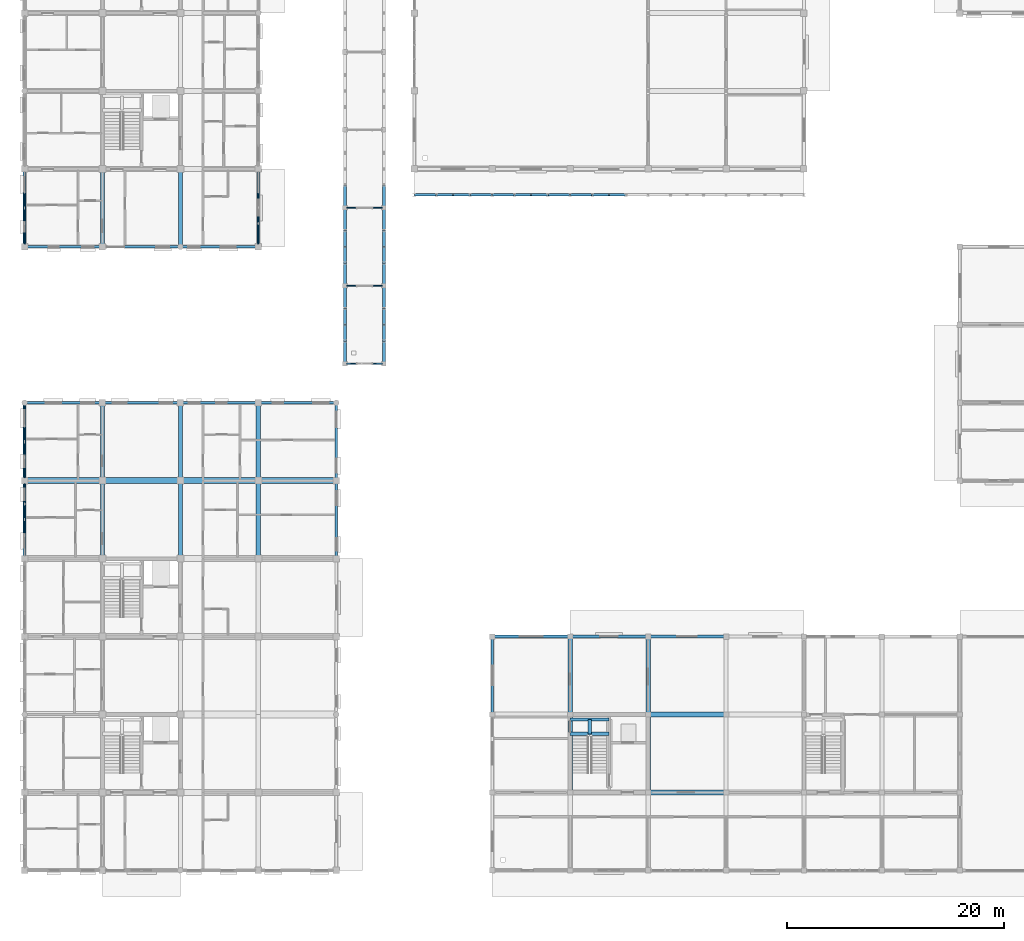
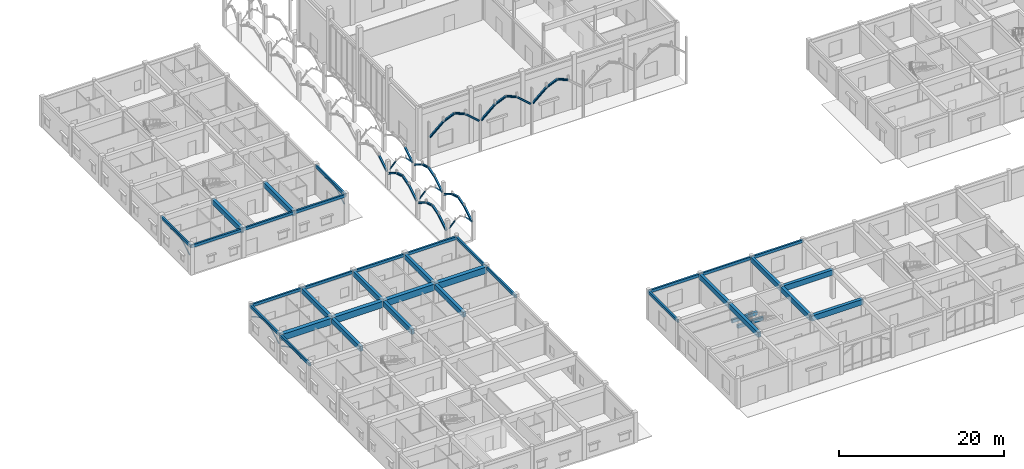
# One storey, part 16 of 138: 48 members, 38 beams.
"""IFC4 building model written with IfcOpenShell, lengths in metres."""

from ifc_helpers import new_model, si_unit, direction, frame, origin, origin_2d, place, context, subcontext, project, spatial, rectangle, hollow_rectangle, i_section, extrude, material, material_profile, profile_set, type_object, element, save


model = new_model("IFC4")

# Units and contexts
model_context = context("Model", 3, precision=1e-05, world=origin(), true_north=direction((0.0, 1.0)))
body_context = subcontext(model_context, "Body", "Model", "MODEL_VIEW")
ifc_project = project(units=[si_unit("LENGTHUNIT", "METRE"), si_unit("AREAUNIT", "SQUARE_METRE"), si_unit("VOLUMEUNIT", "CUBIC_METRE"), si_unit("PLANEANGLEUNIT", "RADIAN"), si_unit("MASSUNIT", "GRAM", prefix="KILO"), si_unit("THERMODYNAMICTEMPERATUREUNIT", "KELVIN"), si_unit("POWERUNIT", "WATT")], contexts=[model_context])

# Site, building, storey
site_placement = place(None, origin())
site = spatial("IfcSite", under=ifc_project, at=site_placement, CompositionType="ELEMENT")
building_placement = place(site_placement, origin())
building = spatial("IfcBuilding", under=site, at=building_placement, Name="Tavuni Mirador Residences", CompositionType="ELEMENT")
storey_placement = place(building_placement, origin())
storey = spatial("IfcBuildingStorey", under=building, at=storey_placement, Name="L00", CompositionType="ELEMENT", Elevation=0.0)

# Beams
ifc_material_1 = material(Name="Precast concrete C40/50", Category="concrete")
ifc_material_profile_1 = material_profile(ifc_material_1, rectangle(XDim=0.300048828125, YDim=0.5, at=origin_2d()), Name="PC 300x500", Category="concrete")
ifc_profile_set_1 = profile_set([ifc_material_profile_1], Name="Precast concrete C40/50")
beam_type_1 = type_object("IfcBeamType", Name="BT-B500", PredefinedType="BEAM", material=ifc_profile_set_1)
for number, where, z_axis, x_axis, name in (
    (1, (54.0, 19.820068359375, 1.820068359375), (1.0, 0.0, 0.0), (0.0, 1.0, 0.0), "HLB1-CS1-L00"),
    (2, (54.0, 21.14990234375, 1.820068359375), (1.0, 0.0, 0.0), (0.0, 1.0, 0.0), "HLB2-CS1-L00"),
):
    element("IfcBeam", number, at=place(storey_placement, frame(where, z_axis=z_axis, x_axis=x_axis)), inside=storey, type_object=beam_type_1, Name=name, PredefinedType="BEAM", context=body_context, shape_type="SweptSolid", body=[
        extrude(rectangle(XDim=0.300048828125, YDim=0.5, at=origin_2d()), origin(), (0.0, 0.0, 1.0), 3.60009765625),
    ])
beam_1_placement = place(storey_placement, frame((55.800048828125, 19.820068359375, 1.820068359375), z_axis=(0.0, 1.0, 0.0), x_axis=(-1.0, 0.0, 0.0)))
element("IfcBeam", 3, at=beam_1_placement, inside=storey, type_object=beam_type_1, Name="HLB3-CS1-L00", PredefinedType="BEAM", context=body_context, shape_type="SweptSolid", body=[
    extrude(rectangle(XDim=0.300048828125, YDim=0.5, at=origin_2d()), origin(), (0.0, 0.0, 1.0), 1.329833984375),
])
ifc_material_profile_2 = material_profile(ifc_material_1, rectangle(XDim=0.39990234375, YDim=0.75, at=origin_2d()), Name="RC 400x750", Category="concrete")
ifc_profile_set_2 = profile_set([ifc_material_profile_2], Name="Precast concrete C40/50")
beam_type_2 = type_object("IfcBeamType", Name="BT-G750", PredefinedType="USERDEFINED", material=ifc_profile_set_2)
for number, where, z_axis, x_axis, name in (
    (4, (10.800048828125, 36.0, 3.844970703125), (0.0, 1.0, 0.0), (-1.0, 0.0, 0.0), "BMY-BLK-A-L00-01-04"),
    (5, (10.800048828125, 43.199951171875, 3.844970703125), (0.0, 1.0, 0.0), (-1.0, 0.0, 0.0), "BMY-BLK-A-L00-01-05"),
    (6, (18.0, 36.0, 3.844970703125), (0.0, 1.0, 0.0), (-1.0, 0.0, 0.0), "BMY-BLK-A-L00-02-04"),
    (7, (18.0, 43.199951171875, 3.844970703125), (0.0, 1.0, 0.0), (-1.0, 0.0, 0.0), "BMY-BLK-A-L00-02-05"),
    (8, (25.199951171875, 36.0, 3.844970703125), (0.0, 1.0, 0.0), (-1.0, 0.0, 0.0), "BMY-BLK-A-L00-03-04"),
    (9, (25.199951171875, 43.199951171875, 3.844970703125), (0.0, 1.0, 0.0), (-1.0, 0.0, 0.0), "BMY-BLK-A-L00-03-05"),
    (10, (10.800048828125, 64.800048828125, 3.885009765625), (0.0, 1.0, 0.0), (-1.0, 0.0, 0.0), "BMY-BLK-B-L00-01-00"),
    (11, (18.0, 64.800048828125, 3.885009765625), (0.0, 1.0, 0.0), (-1.0, 0.0, 0.0), "BMY-BLK-B-L00-02-00"),
):
    element("IfcBeam", number, at=place(storey_placement, frame(where, z_axis=z_axis, x_axis=x_axis)), inside=storey, type_object=beam_type_2, Name=name, ObjectType="GIRDER", PredefinedType="USERDEFINED", context=body_context, shape_type="SweptSolid", body=[
        extrude(rectangle(XDim=0.39990234375, YDim=0.75, at=origin_2d()), origin(), (0.0, 0.0, 1.0), 7.199951171875),
    ])
beam_2_placement = place(storey_placement, frame((54.0, 14.39990234375, 3.885009765625), z_axis=(0.0, 1.0, 0.0), x_axis=(-1.0, 0.0, 0.0)))
element("IfcBeam", 12, at=beam_2_placement, inside=storey, type_object=beam_type_2, Name="BMY-PAV-SHOP-L00-01-01", ObjectType="GIRDER", PredefinedType="USERDEFINED", context=body_context, shape_type="SweptSolid", body=[
    extrude(rectangle(XDim=0.39990234375, YDim=0.75, at=origin_2d()), origin(), (0.0, 0.0, 1.0), 7.2001953125),
])
beam_3_placement = place(storey_placement, frame((54.0, 21.60009765625, 3.885009765625), z_axis=(0.0, 1.0, 0.0), x_axis=(-1.0, 0.0, 0.0)))
element("IfcBeam", 13, at=beam_3_placement, inside=storey, type_object=beam_type_2, Name="BMY-PAV-SHOP-L00-01-02", ObjectType="GIRDER", PredefinedType="USERDEFINED", context=body_context, shape_type="SweptSolid", body=[
    extrude(rectangle(XDim=0.39990234375, YDim=0.75, at=origin_2d()), origin(), (0.0, 0.0, 1.0), 7.199951171875),
])
beam_4_placement = place(storey_placement, frame((61.199951171875, 14.39990234375, 3.885009765625), z_axis=(0.0, 1.0, 0.0), x_axis=(-1.0, 0.0, 0.0)))
element("IfcBeam", 14, at=beam_4_placement, inside=storey, type_object=beam_type_2, Name="BMY-PAV-SHOP-L00-02-01", ObjectType="GIRDER", PredefinedType="USERDEFINED", context=body_context, shape_type="SweptSolid", body=[
    extrude(rectangle(XDim=0.39990234375, YDim=0.75, at=origin_2d()), origin(), (0.0, 0.0, 1.0), 7.2001953125),
])
beam_5_placement = place(storey_placement, frame((61.199951171875, 21.60009765625, 3.885009765625), z_axis=(0.0, 1.0, 0.0), x_axis=(-1.0, 0.0, 0.0)))
element("IfcBeam", 15, at=beam_5_placement, inside=storey, type_object=beam_type_2, Name="BMY-PAV-SHOP-L00-02-02", ObjectType="GIRDER", PredefinedType="USERDEFINED", context=body_context, shape_type="SweptSolid", body=[
    extrude(rectangle(XDim=0.39990234375, YDim=0.75, at=origin_2d()), origin(), (0.0, 0.0, 1.0), 7.199951171875),
])
ifc_material_profile_3 = material_profile(ifc_material_1, rectangle(XDim=0.449951171875, YDim=0.800048828125, at=origin_2d()), Name="RC 450x800", Category="concrete")
ifc_profile_set_3 = profile_set([ifc_material_profile_3], Name="Precast concrete C40/50")
beam_type_3 = type_object("IfcBeamType", Name="BT-G800", PredefinedType="USERDEFINED", material=ifc_profile_set_3)
for number, where, z_axis, x_axis, name in (
    (16, (61.199951171875, 14.39990234375, 3.860107421875), (1.0, 0.0, 0.0), (0.0, 1.0, 0.0), "BMX-PAV-SHOP-L00-02-01"),
    (17, (61.199951171875, 21.60009765625, 3.860107421875), (1.0, 0.0, 0.0), (0.0, 1.0, 0.0), "BMX-PAV-SHOP-L00-02-02"),
):
    element("IfcBeam", number, at=place(storey_placement, frame(where, z_axis=z_axis, x_axis=x_axis)), inside=storey, type_object=beam_type_3, Name=name, ObjectType="GIRDER", PredefinedType="USERDEFINED", context=body_context, shape_type="SweptSolid", body=[
        extrude(rectangle(XDim=0.449951171875, YDim=0.800048828125, at=origin_2d()), origin(), (0.0, 0.0, 1.0), 7.199951171875),
    ])
ifc_material_2 = material(Name="In-situ concrete C35/45", Category="concrete")
ifc_material_profile_4 = material_profile(ifc_material_2, rectangle(XDim=0.550048828125, YDim=0.949951171875, at=origin_2d()), Name="RC 550x950", Category="concrete")
ifc_profile_set_4 = profile_set([ifc_material_profile_4], Name="In-situ concrete C35/45")
beam_type_4 = type_object("IfcBeamType", Name="BT-G950", PredefinedType="USERDEFINED", material=ifc_profile_set_4)
for number, where, z_axis, x_axis, name in (
    (18, (3.60009765625, 43.199951171875, 3.7451171875), (1.0, 0.0, 0.0), (0.0, 1.0, 0.0), "BMX-BLK-A-L00-00-05"),
    (19, (10.800048828125, 43.199951171875, 3.7451171875), (1.0, 0.0, 0.0), (0.0, 1.0, 0.0), "BMX-BLK-A-L00-01-05"),
    (20, (18.0, 43.199951171875, 3.7451171875), (1.0, 0.0, 0.0), (0.0, 1.0, 0.0), "BMX-BLK-A-L00-02-05"),
    (21, (25.199951171875, 43.199951171875, 3.7451171875), (1.0, 0.0, 0.0), (0.0, 1.0, 0.0), "BMX-BLK-A-L00-03-05"),
):
    element("IfcBeam", number, at=place(storey_placement, frame(where, z_axis=z_axis, x_axis=x_axis)), inside=storey, type_object=beam_type_4, Name=name, ObjectType="GIRDER", PredefinedType="USERDEFINED", context=body_context, shape_type="SweptSolid", body=[
        extrude(rectangle(XDim=0.550048828125, YDim=0.949951171875, at=origin_2d()), origin(), (0.0, 0.0, 1.0), 7.199951171875),
    ])
ifc_material_profile_5 = material_profile(ifc_material_1, rectangle(XDim=0.25, YDim=0.419921875, at=origin_2d()), Name="PC 250x420", Category="concrete")
ifc_profile_set_5 = profile_set([ifc_material_profile_5], Name="Precast concrete C40/50")
beam_type_5 = type_object("IfcBeamType", Name="BT-SP420", PredefinedType="SPANDREL", material=ifc_profile_set_5)
for number, where, z_axis, x_axis, name in (
    (22, (3.60009765625, 50.39990234375, 4.010009765625), (1.0, 0.0, 0.0), (0.0, 1.0, 0.0), "BMX-BLK-A-L00-00-06"),
    (23, (10.800048828125, 50.39990234375, 4.010009765625), (1.0, 0.0, 0.0), (0.0, 1.0, 0.0), "BMX-BLK-A-L00-01-06"),
    (24, (18.0, 50.39990234375, 4.010009765625), (1.0, 0.0, 0.0), (0.0, 1.0, 0.0), "BMX-BLK-A-L00-02-06"),
    (25, (25.199951171875, 50.39990234375, 4.010009765625), (1.0, 0.0, 0.0), (0.0, 1.0, 0.0), "BMX-BLK-A-L00-03-06"),
    (26, (3.60009765625, 36.0, 4.010009765625), (0.0, 1.0, 0.0), (-1.0, 0.0, 0.0), "BMY-BLK-A-L00-00-04"),
    (27, (3.60009765625, 43.199951171875, 4.010009765625), (0.0, 1.0, 0.0), (-1.0, 0.0, 0.0), "BMY-BLK-A-L00-00-05"),
    (28, (32.39990234375, 36.0, 4.010009765625), (0.0, 1.0, 0.0), (-1.0, 0.0, 0.0), "BMY-BLK-A-L00-04-04"),
    (29, (32.39990234375, 43.199951171875, 4.010009765625), (0.0, 1.0, 0.0), (-1.0, 0.0, 0.0), "BMY-BLK-A-L00-04-05"),
    (30, (3.60009765625, 64.800048828125, 4.050048828125), (1.0, 0.0, 0.0), (0.0, 1.0, 0.0), "BMX-BLK-B-L00-00-00"),
    (31, (10.800048828125, 64.800048828125, 4.050048828125), (1.0, 0.0, 0.0), (0.0, 1.0, 0.0), "BMX-BLK-B-L00-01-00"),
    (32, (18.0, 64.800048828125, 4.050048828125), (1.0, 0.0, 0.0), (0.0, 1.0, 0.0), "BMX-BLK-B-L00-02-00"),
    (33, (3.60009765625, 64.800048828125, 4.050048828125), (0.0, 1.0, 0.0), (-1.0, 0.0, 0.0), "BMY-BLK-B-L00-00-00"),
    (34, (25.199951171875, 64.800048828125, 4.050048828125), (0.0, 1.0, 0.0), (-1.0, 0.0, 0.0), "BMY-BLK-B-L00-03-00"),
    (35, (46.800048828125, 28.800048828125, 4.050048828125), (1.0, 0.0, 0.0), (0.0, 1.0, 0.0), "BMX-PAV-SHOP-L00-00-03"),
    (36, (54.0, 28.800048828125, 4.050048828125), (1.0, 0.0, 0.0), (0.0, 1.0, 0.0), "BMX-PAV-SHOP-L00-01-03"),
    (37, (61.199951171875, 28.800048828125, 4.050048828125), (1.0, 0.0, 0.0), (0.0, 1.0, 0.0), "BMX-PAV-SHOP-L00-02-03"),
    (38, (46.800048828125, 21.60009765625, 4.050048828125), (0.0, 1.0, 0.0), (-1.0, 0.0, 0.0), "BMY-PAV-SHOP-L00-00-02"),
):
    element("IfcBeam", number, at=place(storey_placement, frame(where, z_axis=z_axis, x_axis=x_axis)), inside=storey, type_object=beam_type_5, Name=name, PredefinedType="SPANDREL", context=body_context, shape_type="SweptSolid", body=[
        extrude(rectangle(XDim=0.25, YDim=0.419921875, at=origin_2d()), origin(), (0.0, 0.0, 1.0), 7.199951171875),
    ])

# Members
ifc_material_3 = material(Name="Structural steel S355", Category="steel")
ifc_material_profile_6 = material_profile(ifc_material_3, hollow_rectangle(XDim=0.10009765625, YDim=0.14990234375, WallThickness=0.008056640625, at=origin_2d()), Name="RHS 150x100x8.0", Category="steel")
ifc_profile_set_6 = profile_set([ifc_material_profile_6], Name="Structural steel S355")
member_type_1 = type_object("IfcMemberType", Name="MT-BR-RHS150", PredefinedType="BRACE", material=ifc_profile_set_6)
for number, where, z_axis, x_axis, name in (
    (39, (33.409912109375, 54.0, 2.75), (0.680966584085, 0.0, 0.732314489383), (0.0, 1.0, 0.0), "ARCH-COLO-T-00-H1"),
    (40, (35.69970703125, 54.0, 3.70751953125), (0.680966584085, 0.0, -0.732314489383), (0.0, 1.0, 0.0), "ARCH-COLO-T-00-H2"),
    (41, (33.409912109375, 61.199951171875, 2.75), (0.680966584085, 0.0, 0.732314489383), (0.0, 1.0, 0.0), "ARCH-COLO-T-01-H1"),
    (42, (35.69970703125, 61.199951171875, 3.70751953125), (0.680966584085, 0.0, -0.732314489383), (0.0, 1.0, 0.0), "ARCH-COLO-T-01-H2"),
    (43, (33.409912109375, 68.39990234375, 2.75), (0.680966584085, 0.0, 0.732314489383), (0.0, 1.0, 0.0), "ARCH-COLO-T-02-H1"),
    (44, (35.69970703125, 68.39990234375, 3.70751953125), (0.680966584085, 0.0, -0.732314489383), (0.0, 1.0, 0.0), "ARCH-COLO-T-02-H2"),
):
    element("IfcMember", number, at=place(storey_placement, frame(where, z_axis=z_axis, x_axis=x_axis)), inside=storey, type_object=member_type_1, Name=name, PredefinedType="BRACE", context=body_context, shape_type="SweptSolid", body=[
        extrude(hollow_rectangle(XDim=0.10009765625, YDim=0.14990234375, WallThickness=0.008056640625, at=origin_2d()), origin(), (0.0, 0.0, 1.0), 1.3076171875),
    ])
member_1_placement = place(storey_placement, frame((3.60009765625, 38.14794921875, 3.601318359375), z_axis=(0.0, 0.962603472858, 0.270914292798), x_axis=(-1.0, 0.0, 0.0)))
element("IfcMember", 45, at=member_1_placement, inside=storey, type_object=member_type_1, Name="ARCH-BLKA-W-04-S1", PredefinedType="BRACE", context=body_context, shape_type="SweptSolid", body=[
    extrude(hollow_rectangle(XDim=0.10009765625, YDim=0.14990234375, WallThickness=0.008056640625, at=origin_2d()), origin(), (0.0, 0.0, 1.0), 1.508544921875),
])
member_2_placement = place(storey_placement, frame((3.60009765625, 39.60009765625, 4.010009765625), z_axis=(0.0, 0.962591592164, -0.270956503327), x_axis=(-1.0, 0.0, 0.0)))
element("IfcMember", 46, at=member_2_placement, inside=storey, type_object=member_type_1, Name="ARCH-BLKA-W-04-S2", PredefinedType="BRACE", context=body_context, shape_type="SweptSolid", body=[
    extrude(hollow_rectangle(XDim=0.10009765625, YDim=0.14990234375, WallThickness=0.008056640625, at=origin_2d()), origin(), (0.0, 0.0, 1.0), 1.50830078125),
])
for number, where, z_axis, x_axis, name in (
    (47, (3.60009765625, 41.052001953125, 3.601318359375), (0.0, 0.869188510348, -0.494480872712), (-1.0, 0.0, 0.0), "ARCH-BLKA-W-04-H2"),
    (48, (3.60009765625, 43.5, 2.550048828125), (0.0, 0.869188510348, 0.494480872712), (-1.0, 0.0, 0.0), "ARCH-BLKA-W-05-H1"),
):
    element("IfcMember", number, at=place(storey_placement, frame(where, z_axis=z_axis, x_axis=x_axis)), inside=storey, type_object=member_type_1, Name=name, PredefinedType="BRACE", context=body_context, shape_type="SweptSolid", body=[
        extrude(hollow_rectangle(XDim=0.10009765625, YDim=0.14990234375, WallThickness=0.008056640625, at=origin_2d()), origin(), (0.0, 0.0, 1.0), 2.1259765625),
    ])
member_3_placement = place(storey_placement, frame((3.60009765625, 45.347900390625, 3.601318359375), z_axis=(0.0, 0.962603472858, 0.270914292798), x_axis=(-1.0, 0.0, 0.0)))
element("IfcMember", 49, at=member_3_placement, inside=storey, type_object=member_type_1, Name="ARCH-BLKA-W-05-S1", PredefinedType="BRACE", context=body_context, shape_type="SweptSolid", body=[
    extrude(hollow_rectangle(XDim=0.10009765625, YDim=0.14990234375, WallThickness=0.008056640625, at=origin_2d()), origin(), (0.0, 0.0, 1.0), 1.508544921875),
])
member_4_placement = place(storey_placement, frame((3.60009765625, 46.800048828125, 4.010009765625), z_axis=(0.0, 0.962591592164, -0.270956503327), x_axis=(-1.0, 0.0, 0.0)))
element("IfcMember", 50, at=member_4_placement, inside=storey, type_object=member_type_1, Name="ARCH-BLKA-W-05-S2", PredefinedType="BRACE", context=body_context, shape_type="SweptSolid", body=[
    extrude(hollow_rectangle(XDim=0.10009765625, YDim=0.14990234375, WallThickness=0.008056640625, at=origin_2d()), origin(), (0.0, 0.0, 1.0), 1.50830078125),
])
member_5_placement = place(storey_placement, frame((3.60009765625, 48.251953125, 3.601318359375), z_axis=(0.0, 0.869216584681, -0.494431520956), x_axis=(-1.0, 0.0, 0.0)))
element("IfcMember", 51, at=member_5_placement, inside=storey, type_object=member_type_1, Name="ARCH-BLKA-W-05-H2", PredefinedType="BRACE", context=body_context, shape_type="SweptSolid", body=[
    extrude(hollow_rectangle(XDim=0.10009765625, YDim=0.14990234375, WallThickness=0.008056640625, at=origin_2d()), origin(), (0.0, 0.0, 1.0), 2.126220703125),
])
member_6_placement = place(storey_placement, frame((3.60009765625, 65.10009765625, 2.550048828125), z_axis=(0.0, 0.863393885315, 0.504530473609), x_axis=(-1.0, 0.0, 0.0)))
element("IfcMember", 52, at=member_6_placement, inside=storey, type_object=member_type_1, Name="ARCH-BLKB-W-00-H1", PredefinedType="BRACE", context=body_context, shape_type="SweptSolid", body=[
    extrude(hollow_rectangle(XDim=0.10009765625, YDim=0.14990234375, WallThickness=0.008056640625, at=origin_2d()), origin(), (0.0, 0.0, 1.0), 2.140380859375),
])
member_7_placement = place(storey_placement, frame((3.60009765625, 66.947998046875, 3.6298828125), z_axis=(0.0, 0.960585832519, 0.277983557721), x_axis=(-1.0, 0.0, 0.0)))
element("IfcMember", 53, at=member_7_placement, inside=storey, type_object=member_type_1, Name="ARCH-BLKB-W-00-S1", PredefinedType="BRACE", context=body_context, shape_type="SweptSolid", body=[
    extrude(hollow_rectangle(XDim=0.10009765625, YDim=0.14990234375, WallThickness=0.008056640625, at=origin_2d()), origin(), (0.0, 0.0, 1.0), 1.511474609375),
])
member_8_placement = place(storey_placement, frame((3.60009765625, 68.39990234375, 4.050048828125), z_axis=(0.0, 0.960598311393, -0.277940432735), x_axis=(-1.0, 0.0, 0.0)))
element("IfcMember", 54, at=member_8_placement, inside=storey, type_object=member_type_1, Name="ARCH-BLKB-W-00-S2", PredefinedType="BRACE", context=body_context, shape_type="SweptSolid", body=[
    extrude(hollow_rectangle(XDim=0.10009765625, YDim=0.14990234375, WallThickness=0.008056640625, at=origin_2d()), origin(), (0.0, 0.0, 1.0), 1.51171875),
])
member_9_placement = place(storey_placement, frame((25.199951171875, 65.10009765625, 2.550048828125), z_axis=(0.0, 0.863393885315, 0.504530473609), x_axis=(-1.0, 0.0, 0.0)))
element("IfcMember", 55, at=member_9_placement, inside=storey, type_object=member_type_1, Name="ARCH-BLKB-E-00-H1", PredefinedType="BRACE", context=body_context, shape_type="SweptSolid", body=[
    extrude(hollow_rectangle(XDim=0.10009765625, YDim=0.14990234375, WallThickness=0.008056640625, at=origin_2d()), origin(), (0.0, 0.0, 1.0), 2.140380859375),
])
member_10_placement = place(storey_placement, frame((25.199951171875, 66.947998046875, 3.6298828125), z_axis=(0.0, 0.960585832519, 0.277983557721), x_axis=(-1.0, 0.0, 0.0)))
element("IfcMember", 56, at=member_10_placement, inside=storey, type_object=member_type_1, Name="ARCH-BLKB-E-00-S1", PredefinedType="BRACE", context=body_context, shape_type="SweptSolid", body=[
    extrude(hollow_rectangle(XDim=0.10009765625, YDim=0.14990234375, WallThickness=0.008056640625, at=origin_2d()), origin(), (0.0, 0.0, 1.0), 1.511474609375),
])
member_11_placement = place(storey_placement, frame((25.199951171875, 68.39990234375, 4.050048828125), z_axis=(0.0, 0.960598311393, -0.277940432735), x_axis=(-1.0, 0.0, 0.0)))
element("IfcMember", 57, at=member_11_placement, inside=storey, type_object=member_type_1, Name="ARCH-BLKB-E-00-S2", PredefinedType="BRACE", context=body_context, shape_type="SweptSolid", body=[
    extrude(hollow_rectangle(XDim=0.10009765625, YDim=0.14990234375, WallThickness=0.008056640625, at=origin_2d()), origin(), (0.0, 0.0, 1.0), 1.51171875),
])
ifc_material_profile_7 = material_profile(ifc_material_3, i_section(OverallWidth=0.239990234375, OverallDepth=0.22998046875, WebThickness=0.007568359375, FlangeThickness=0.011962890625, FilletRadius=0.02099609375, at=origin_2d()), Name="HEA 240", Category="steel")
ifc_profile_set_7 = profile_set([ifc_material_profile_7], Name="Structural steel S355")
member_type_2 = type_object("IfcMemberType", Name="MT-CH-HEA240", PredefinedType="CHORD", material=ifc_profile_set_7)
member_12_placement = place(storey_placement, frame((33.199951171875, 54.2099609375, 2.449951171875), z_axis=(0.0, 0.850593680007, 0.525823536496), x_axis=(-1.0, 0.0, 0.0)))
element("IfcMember", 58, at=member_12_placement, inside=storey, type_object=member_type_2, Name="ARCH-COLO-W-00-H1", PredefinedType="CHORD", context=body_context, shape_type="SweptSolid", body=[
    extrude(i_section(OverallWidth=0.239990234375, OverallDepth=0.22998046875, WebThickness=0.007568359375, FlangeThickness=0.011962890625, FilletRadius=0.02099609375, at=origin_2d()), origin(), (0.0, 0.0, 1.0), 2.23193359375),
])
member_13_placement = place(storey_placement, frame((33.199951171875, 56.1083984375, 3.62353515625), z_axis=(0.0, 0.95621783268, 0.292655866958), x_axis=(-1.0, 0.0, 0.0)))
element("IfcMember", 59, at=member_13_placement, inside=storey, type_object=member_type_2, Name="ARCH-COLO-W-00-S1", PredefinedType="CHORD", context=body_context, shape_type="SweptSolid", body=[
    extrude(i_section(OverallWidth=0.239990234375, OverallDepth=0.22998046875, WebThickness=0.007568359375, FlangeThickness=0.011962890625, FilletRadius=0.02099609375, at=origin_2d()), origin(), (0.0, 0.0, 1.0), 1.56005859375),
])
member_14_placement = place(storey_placement, frame((33.199951171875, 57.60009765625, 4.080078125), z_axis=(0.0, 0.956204425804, -0.292699668727), x_axis=(-1.0, 0.0, 0.0)))
element("IfcMember", 60, at=member_14_placement, inside=storey, type_object=member_type_2, Name="ARCH-COLO-W-00-S2", PredefinedType="CHORD", context=body_context, shape_type="SweptSolid", body=[
    extrude(i_section(OverallWidth=0.239990234375, OverallDepth=0.22998046875, WebThickness=0.007568359375, FlangeThickness=0.011962890625, FilletRadius=0.02099609375, at=origin_2d()), origin(), (0.0, 0.0, 1.0), 1.559814453125),
])
for number, where, z_axis, x_axis, name in (
    (61, (33.199951171875, 59.091552734375, 3.62353515625), (0.0, 0.850593680007, -0.525823536496), (-1.0, 0.0, 0.0), "ARCH-COLO-W-00-H2"),
    (62, (36.800048828125, 54.2099609375, 2.449951171875), (0.0, 0.850593680007, 0.525823536496), (-1.0, 0.0, 0.0), "ARCH-COLO-E-00-H1"),
):
    element("IfcMember", number, at=place(storey_placement, frame(where, z_axis=z_axis, x_axis=x_axis)), inside=storey, type_object=member_type_2, Name=name, PredefinedType="CHORD", context=body_context, shape_type="SweptSolid", body=[
        extrude(i_section(OverallWidth=0.239990234375, OverallDepth=0.22998046875, WebThickness=0.007568359375, FlangeThickness=0.011962890625, FilletRadius=0.02099609375, at=origin_2d()), origin(), (0.0, 0.0, 1.0), 2.23193359375),
    ])
member_15_placement = place(storey_placement, frame((36.800048828125, 56.1083984375, 3.62353515625), z_axis=(0.0, 0.95621783268, 0.292655866958), x_axis=(-1.0, 0.0, 0.0)))
element("IfcMember", 63, at=member_15_placement, inside=storey, type_object=member_type_2, Name="ARCH-COLO-E-00-S1", PredefinedType="CHORD", context=body_context, shape_type="SweptSolid", body=[
    extrude(i_section(OverallWidth=0.239990234375, OverallDepth=0.22998046875, WebThickness=0.007568359375, FlangeThickness=0.011962890625, FilletRadius=0.02099609375, at=origin_2d()), origin(), (0.0, 0.0, 1.0), 1.56005859375),
])
member_16_placement = place(storey_placement, frame((36.800048828125, 57.60009765625, 4.080078125), z_axis=(0.0, 0.956204425804, -0.292699668727), x_axis=(-1.0, 0.0, 0.0)))
element("IfcMember", 64, at=member_16_placement, inside=storey, type_object=member_type_2, Name="ARCH-COLO-E-00-S2", PredefinedType="CHORD", context=body_context, shape_type="SweptSolid", body=[
    extrude(i_section(OverallWidth=0.239990234375, OverallDepth=0.22998046875, WebThickness=0.007568359375, FlangeThickness=0.011962890625, FilletRadius=0.02099609375, at=origin_2d()), origin(), (0.0, 0.0, 1.0), 1.559814453125),
])
for number, where, z_axis, x_axis, name in (
    (65, (36.800048828125, 59.091552734375, 3.62353515625), (0.0, 0.850593680007, -0.525823536496), (-1.0, 0.0, 0.0), "ARCH-COLO-E-00-H2"),
    (66, (33.199951171875, 61.409912109375, 2.449951171875), (0.0, 0.850593680007, 0.525823536496), (-1.0, 0.0, 0.0), "ARCH-COLO-W-01-H1"),
):
    element("IfcMember", number, at=place(storey_placement, frame(where, z_axis=z_axis, x_axis=x_axis)), inside=storey, type_object=member_type_2, Name=name, PredefinedType="CHORD", context=body_context, shape_type="SweptSolid", body=[
        extrude(i_section(OverallWidth=0.239990234375, OverallDepth=0.22998046875, WebThickness=0.007568359375, FlangeThickness=0.011962890625, FilletRadius=0.02099609375, at=origin_2d()), origin(), (0.0, 0.0, 1.0), 2.23193359375),
    ])
member_17_placement = place(storey_placement, frame((33.199951171875, 63.308349609375, 3.62353515625), z_axis=(0.0, 0.95621783268, 0.292655866958), x_axis=(-1.0, 0.0, 0.0)))
element("IfcMember", 67, at=member_17_placement, inside=storey, type_object=member_type_2, Name="ARCH-COLO-W-01-S1", PredefinedType="CHORD", context=body_context, shape_type="SweptSolid", body=[
    extrude(i_section(OverallWidth=0.239990234375, OverallDepth=0.22998046875, WebThickness=0.007568359375, FlangeThickness=0.011962890625, FilletRadius=0.02099609375, at=origin_2d()), origin(), (0.0, 0.0, 1.0), 1.56005859375),
])
member_18_placement = place(storey_placement, frame((33.199951171875, 64.800048828125, 4.080078125), z_axis=(0.0, 0.956204425804, -0.292699668727), x_axis=(-1.0, 0.0, 0.0)))
element("IfcMember", 68, at=member_18_placement, inside=storey, type_object=member_type_2, Name="ARCH-COLO-W-01-S2", PredefinedType="CHORD", context=body_context, shape_type="SweptSolid", body=[
    extrude(i_section(OverallWidth=0.239990234375, OverallDepth=0.22998046875, WebThickness=0.007568359375, FlangeThickness=0.011962890625, FilletRadius=0.02099609375, at=origin_2d()), origin(), (0.0, 0.0, 1.0), 1.559814453125),
])
for number, where, z_axis, x_axis, name in (
    (69, (33.199951171875, 66.29150390625, 3.62353515625), (0.0, 0.850593680007, -0.525823536496), (-1.0, 0.0, 0.0), "ARCH-COLO-W-01-H2"),
    (70, (36.800048828125, 61.409912109375, 2.449951171875), (0.0, 0.850593680007, 0.525823536496), (-1.0, 0.0, 0.0), "ARCH-COLO-E-01-H1"),
):
    element("IfcMember", number, at=place(storey_placement, frame(where, z_axis=z_axis, x_axis=x_axis)), inside=storey, type_object=member_type_2, Name=name, PredefinedType="CHORD", context=body_context, shape_type="SweptSolid", body=[
        extrude(i_section(OverallWidth=0.239990234375, OverallDepth=0.22998046875, WebThickness=0.007568359375, FlangeThickness=0.011962890625, FilletRadius=0.02099609375, at=origin_2d()), origin(), (0.0, 0.0, 1.0), 2.23193359375),
    ])
member_19_placement = place(storey_placement, frame((36.800048828125, 63.308349609375, 3.62353515625), z_axis=(0.0, 0.95621783268, 0.292655866958), x_axis=(-1.0, 0.0, 0.0)))
element("IfcMember", 71, at=member_19_placement, inside=storey, type_object=member_type_2, Name="ARCH-COLO-E-01-S1", PredefinedType="CHORD", context=body_context, shape_type="SweptSolid", body=[
    extrude(i_section(OverallWidth=0.239990234375, OverallDepth=0.22998046875, WebThickness=0.007568359375, FlangeThickness=0.011962890625, FilletRadius=0.02099609375, at=origin_2d()), origin(), (0.0, 0.0, 1.0), 1.56005859375),
])
member_20_placement = place(storey_placement, frame((36.800048828125, 64.800048828125, 4.080078125), z_axis=(0.0, 0.956204425804, -0.292699668727), x_axis=(-1.0, 0.0, 0.0)))
element("IfcMember", 72, at=member_20_placement, inside=storey, type_object=member_type_2, Name="ARCH-COLO-E-01-S2", PredefinedType="CHORD", context=body_context, shape_type="SweptSolid", body=[
    extrude(i_section(OverallWidth=0.239990234375, OverallDepth=0.22998046875, WebThickness=0.007568359375, FlangeThickness=0.011962890625, FilletRadius=0.02099609375, at=origin_2d()), origin(), (0.0, 0.0, 1.0), 1.559814453125),
])
member_21_placement = place(storey_placement, frame((36.800048828125, 66.29150390625, 3.62353515625), z_axis=(0.0, 0.850593680007, -0.525823536496), x_axis=(-1.0, 0.0, 0.0)))
element("IfcMember", 73, at=member_21_placement, inside=storey, type_object=member_type_2, Name="ARCH-COLO-E-01-H2", PredefinedType="CHORD", context=body_context, shape_type="SweptSolid", body=[
    extrude(i_section(OverallWidth=0.239990234375, OverallDepth=0.22998046875, WebThickness=0.007568359375, FlangeThickness=0.011962890625, FilletRadius=0.02099609375, at=origin_2d()), origin(), (0.0, 0.0, 1.0), 2.23193359375),
])
for number, where, z_axis, x_axis, name in (
    (74, (33.199951171875, 68.610107421875, 2.449951171875), (0.0, 0.850563431317, 0.525872464867), (-1.0, 0.0, 0.0), "ARCH-COLO-W-02-H1"),
    (75, (36.800048828125, 68.610107421875, 2.449951171875), (0.0, 0.850563431317, 0.525872464867), (-1.0, 0.0, 0.0), "ARCH-COLO-E-02-H1"),
):
    element("IfcMember", number, at=place(storey_placement, frame(where, z_axis=z_axis, x_axis=x_axis)), inside=storey, type_object=member_type_2, Name=name, PredefinedType="CHORD", context=body_context, shape_type="SweptSolid", body=[
        extrude(i_section(OverallWidth=0.239990234375, OverallDepth=0.22998046875, WebThickness=0.007568359375, FlangeThickness=0.011962890625, FilletRadius=0.02099609375, at=origin_2d()), origin(), (0.0, 0.0, 1.0), 2.231689453125),
    ])
member_22_placement = place(storey_placement, frame((39.719970703125, 69.60009765625, 4.60009765625), z_axis=(0.753289483286, 0.0, 0.657689101606), x_axis=(0.0, 1.0, 0.0)))
element("IfcMember", 76, at=member_22_placement, inside=storey, type_object=member_type_2, Name="ARCH-HALL-S-00-H1", PredefinedType="CHORD", context=body_context, shape_type="SweptSolid", body=[
    extrude(i_section(OverallWidth=0.239990234375, OverallDepth=0.22998046875, WebThickness=0.007568359375, FlangeThickness=0.011962890625, FilletRadius=0.02099609375, at=origin_2d()), origin(), (0.0, 0.0, 1.0), 2.5869140625),
])
for number, where, z_axis, x_axis, name in (
    (77, (41.668701171875, 69.60009765625, 6.301513671875), (0.917921869055, 0.0, 0.39676119053), (0.0, 1.0, 0.0), "ARCH-HALL-S-00-S1"),
    (78, (43.199951171875, 69.60009765625, 6.96337890625), (0.917921869055, 0.0, -0.39676119053), (0.0, 1.0, 0.0), "ARCH-HALL-S-00-S2"),
):
    element("IfcMember", number, at=place(storey_placement, frame(where, z_axis=z_axis, x_axis=x_axis)), inside=storey, type_object=member_type_2, Name=name, PredefinedType="CHORD", context=body_context, shape_type="SweptSolid", body=[
        extrude(i_section(OverallWidth=0.239990234375, OverallDepth=0.22998046875, WebThickness=0.007568359375, FlangeThickness=0.011962890625, FilletRadius=0.02099609375, at=origin_2d()), origin(), (0.0, 0.0, 1.0), 1.668212890625),
    ])
member_23_placement = place(storey_placement, frame((44.731201171875, 69.60009765625, 6.301513671875), z_axis=(0.753289483286, 0.0, -0.657689101606), x_axis=(0.0, 1.0, 0.0)))
element("IfcMember", 79, at=member_23_placement, inside=storey, type_object=member_type_2, Name="ARCH-HALL-S-00-H2", PredefinedType="CHORD", context=body_context, shape_type="SweptSolid", body=[
    extrude(i_section(OverallWidth=0.239990234375, OverallDepth=0.22998046875, WebThickness=0.007568359375, FlangeThickness=0.011962890625, FilletRadius=0.02099609375, at=origin_2d()), origin(), (0.0, 0.0, 1.0), 2.5869140625),
])
member_24_placement = place(storey_placement, frame((46.919921875, 69.60009765625, 4.60009765625), z_axis=(0.753330300669, 0.0, 0.65764234816), x_axis=(0.0, 1.0, 0.0)))
element("IfcMember", 80, at=member_24_placement, inside=storey, type_object=member_type_2, Name="ARCH-HALL-S-01-H1", PredefinedType="CHORD", context=body_context, shape_type="SweptSolid", body=[
    extrude(i_section(OverallWidth=0.239990234375, OverallDepth=0.22998046875, WebThickness=0.007568359375, FlangeThickness=0.011962890625, FilletRadius=0.02099609375, at=origin_2d()), origin(), (0.0, 0.0, 1.0), 2.587158203125),
])
member_25_placement = place(storey_placement, frame((48.868896484375, 69.60009765625, 6.301513671875), z_axis=(0.917898825708, 0.0, 0.396814497926), x_axis=(0.0, 1.0, 0.0)))
element("IfcMember", 81, at=member_25_placement, inside=storey, type_object=member_type_2, Name="ARCH-HALL-S-01-S1", PredefinedType="CHORD", context=body_context, shape_type="SweptSolid", body=[
    extrude(i_section(OverallWidth=0.239990234375, OverallDepth=0.22998046875, WebThickness=0.007568359375, FlangeThickness=0.011962890625, FilletRadius=0.02099609375, at=origin_2d()), origin(), (0.0, 0.0, 1.0), 1.66796875),
])
member_26_placement = place(storey_placement, frame((50.39990234375, 69.60009765625, 6.96337890625), z_axis=(0.917921869055, 0.0, -0.39676119053), x_axis=(0.0, 1.0, 0.0)))
element("IfcMember", 82, at=member_26_placement, inside=storey, type_object=member_type_2, Name="ARCH-HALL-S-01-S2", PredefinedType="CHORD", context=body_context, shape_type="SweptSolid", body=[
    extrude(i_section(OverallWidth=0.239990234375, OverallDepth=0.22998046875, WebThickness=0.007568359375, FlangeThickness=0.011962890625, FilletRadius=0.02099609375, at=origin_2d()), origin(), (0.0, 0.0, 1.0), 1.668212890625),
])
for number, where, z_axis, x_axis, name in (
    (83, (51.93115234375, 69.60009765625, 6.301513671875), (0.753289483286, 0.0, -0.657689101606), (0.0, 1.0, 0.0), "ARCH-HALL-S-01-H2"),
    (84, (54.1201171875, 69.60009765625, 4.60009765625), (0.753289483286, 0.0, 0.657689101606), (0.0, 1.0, 0.0), "ARCH-HALL-S-02-H1"),
):
    element("IfcMember", number, at=place(storey_placement, frame(where, z_axis=z_axis, x_axis=x_axis)), inside=storey, type_object=member_type_2, Name=name, PredefinedType="CHORD", context=body_context, shape_type="SweptSolid", body=[
        extrude(i_section(OverallWidth=0.239990234375, OverallDepth=0.22998046875, WebThickness=0.007568359375, FlangeThickness=0.011962890625, FilletRadius=0.02099609375, at=origin_2d()), origin(), (0.0, 0.0, 1.0), 2.5869140625),
    ])
member_27_placement = place(storey_placement, frame((56.06884765625, 69.60009765625, 6.301513671875), z_axis=(0.917921869055, 0.0, 0.39676119053), x_axis=(0.0, 1.0, 0.0)))
element("IfcMember", 85, at=member_27_placement, inside=storey, type_object=member_type_2, Name="ARCH-HALL-S-02-S1", PredefinedType="CHORD", context=body_context, shape_type="SweptSolid", body=[
    extrude(i_section(OverallWidth=0.239990234375, OverallDepth=0.22998046875, WebThickness=0.007568359375, FlangeThickness=0.011962890625, FilletRadius=0.02099609375, at=origin_2d()), origin(), (0.0, 0.0, 1.0), 1.668212890625),
])
member_28_placement = place(storey_placement, frame((57.60009765625, 69.60009765625, 6.96337890625), z_axis=(0.917898825708, 0.0, -0.396814497926), x_axis=(0.0, 1.0, 0.0)))
element("IfcMember", 86, at=member_28_placement, inside=storey, type_object=member_type_2, Name="ARCH-HALL-S-02-S2", PredefinedType="CHORD", context=body_context, shape_type="SweptSolid", body=[
    extrude(i_section(OverallWidth=0.239990234375, OverallDepth=0.22998046875, WebThickness=0.007568359375, FlangeThickness=0.011962890625, FilletRadius=0.02099609375, at=origin_2d()), origin(), (0.0, 0.0, 1.0), 1.66796875),
])

save(model, "model.ifc")
